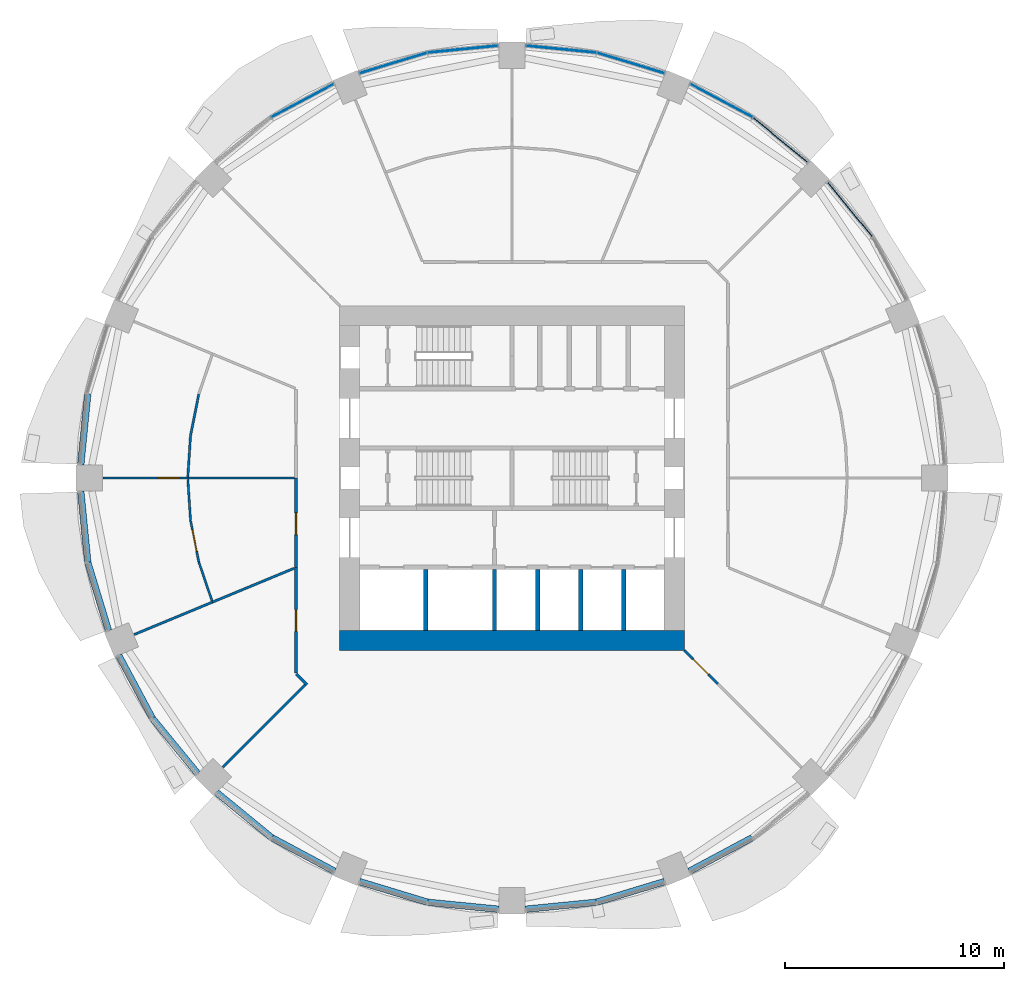
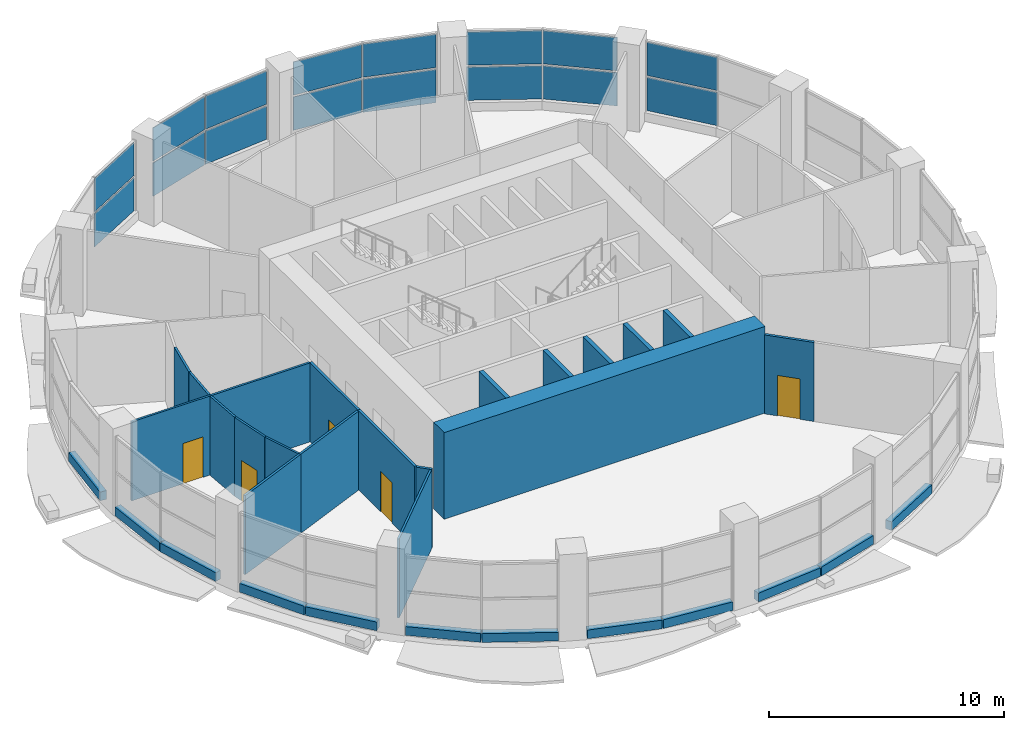
# One storey, part 7 of 14: 32 walls, 16 plates, 5 doors, 5 openings, 5 elements without a shape of their own.
"""IFC4 building model written with IfcOpenShell, lengths in metres."""

from ifc_helpers import new_model, si_unit, direction, frame, frame_2d, origin, origin_2d, place, context, subcontext, project, spatial, rectangle, extrude, material, layer, layer_set, type_object, element, fill, aggregate, save


model = new_model("IFC4")

# Units and contexts
model_context = context("Model", 3, precision=1e-05, world=origin(), true_north=direction((0.0, 1.0)))
body_context = subcontext(model_context, "Body", "Model", "MODEL_VIEW")
ifc_project = project(units=[si_unit("LENGTHUNIT", "METRE"), si_unit("AREAUNIT", "SQUARE_METRE"), si_unit("VOLUMEUNIT", "CUBIC_METRE"), si_unit("PLANEANGLEUNIT", "RADIAN"), si_unit("MASSUNIT", "GRAM", prefix="KILO")], contexts=[model_context])

# Site, building, storey
site_placement = place(None, origin())
site = spatial("IfcSite", under=ifc_project, at=site_placement, CompositionType="ELEMENT")
building_placement = place(site_placement, origin())
building = spatial("IfcBuilding", under=site, at=building_placement, Name="Polderwave Tower", CompositionType="ELEMENT")
storey_placement = place(building_placement, frame((0.0, 0.0, 9.89990234375)))
storey = spatial("IfcBuildingStorey", under=building, at=storey_placement, Name="L02", CompositionType="ELEMENT", Elevation=9.89990234375)

# Curtain wall, plates
ifc_material_1 = material(Name="Aluminium 6063-T6 and glass", Category="aluminium")
curtain_wall_type = type_object("IfcCurtainWallType", Name="Shopfront glazing wall", PredefinedType="NOTDEFINED", material=ifc_material_1)
curtain_wall_1_placement = place(storey_placement, origin())
curtain_wall_1 = element("IfcCurtainWall", 1, at=curtain_wall_1_placement, inside=storey, type_object=curtain_wall_type, Name="CW1 L02 01", PredefinedType="NOTDEFINED")
ifc_material_2 = material(Name="Glass, low-e laminated double glazing", Category="glass")
ifc_layer_1 = layer(ifc_material_2, 0.035888671875)
ifc_layer_set_1 = layer_set([ifc_layer_1], Name="Shopfront glazing glass panel 36 mm")
plate_type = type_object("IfcPlateType", Name="Shopfront glazing glass panel 36 mm", PredefinedType="CURTAIN_PANEL", material=ifc_layer_set_1)
plate_1_placement = place(storey_placement, frame((15.447998046875, 12.268310546875, 0.449951171875), z_axis=(0.0, 0.0, 1.0), x_axis=(-0.63441487044, 0.772992737459, 0.0)))
plate_1 = element("IfcPlate", 2, at=plate_1_placement, type_object=plate_type, Name="CW1 panel 3", PredefinedType="CURTAIN_PANEL", context=body_context, shape_type="SweptSolid", body=[
    extrude(rectangle(XDim=3.193359375, YDim=0.035888671875, at=origin_2d()), origin(), (0.0, 0.0, 1.0), 1.72509765625),
])
plate_2_placement = place(storey_placement, frame((15.447998046875, 12.268310546875, 2.275146484375), z_axis=(0.0, 0.0, 1.0), x_axis=(-0.63441487044, 0.772992737459, 0.0)))
plate_2 = element("IfcPlate", 3, at=plate_2_placement, type_object=plate_type, Name="CW1 panel 4", PredefinedType="CURTAIN_PANEL", context=body_context, shape_type="SweptSolid", body=[
    extrude(rectangle(XDim=3.193359375, YDim=0.035888671875, at=origin_2d()), origin(), (0.0, 0.0, 1.0), 1.72509765625),
])
aggregate(curtain_wall_1, [plate_1, plate_2])

curtain_wall_2_placement = place(storey_placement, origin())
curtain_wall_2 = element("IfcCurtainWall", 4, at=curtain_wall_2_placement, inside=storey, type_object=curtain_wall_type, Name="CW1 L02 02", PredefinedType="NOTDEFINED")
plate_3_placement = place(storey_placement, frame((12.268310546875, 15.447998046875, 0.449951171875), z_axis=(0.0, 0.0, 1.0), x_axis=(-0.772992737459, 0.63441487044, 0.0)))
plate_3 = element("IfcPlate", 5, at=plate_3_placement, type_object=plate_type, Name="CW1 panel 1", PredefinedType="CURTAIN_PANEL", context=body_context, shape_type="SweptSolid", body=[
    extrude(rectangle(XDim=3.193359375, YDim=0.035888671875, at=origin_2d()), origin(), (0.0, 0.0, 1.0), 1.72509765625),
])
plate_4_placement = place(storey_placement, frame((12.268310546875, 15.447998046875, 2.275146484375), z_axis=(0.0, 0.0, 1.0), x_axis=(-0.772992737459, 0.63441487044, 0.0)))
plate_4 = element("IfcPlate", 6, at=plate_4_placement, type_object=plate_type, Name="CW1 panel 2", PredefinedType="CURTAIN_PANEL", context=body_context, shape_type="SweptSolid", body=[
    extrude(rectangle(XDim=3.193359375, YDim=0.035888671875, at=origin_2d()), origin(), (0.0, 0.0, 1.0), 1.72509765625),
])
plate_5_placement = place(storey_placement, frame((9.57666015625, 17.246337890625, 0.449951171875), z_axis=(0.0, 0.0, 1.0), x_axis=(-0.881973091795, 0.471299761669, 0.0)))
plate_5 = element("IfcPlate", 7, at=plate_5_placement, type_object=plate_type, Name="CW1 panel 3", PredefinedType="CURTAIN_PANEL", context=body_context, shape_type="SweptSolid", body=[
    extrude(rectangle(XDim=3.1923828125, YDim=0.035888671875, at=origin_2d()), origin(), (0.0, 0.0, 1.0), 1.72509765625),
])
plate_6_placement = place(storey_placement, frame((9.57666015625, 17.246337890625, 2.275146484375), z_axis=(0.0, 0.0, 1.0), x_axis=(-0.881973091795, 0.471299761669, 0.0)))
plate_6 = element("IfcPlate", 8, at=plate_6_placement, type_object=plate_type, Name="CW1 panel 4", PredefinedType="CURTAIN_PANEL", context=body_context, shape_type="SweptSolid", body=[
    extrude(rectangle(XDim=3.1923828125, YDim=0.035888671875, at=origin_2d()), origin(), (0.0, 0.0, 1.0), 1.72509765625),
])
aggregate(curtain_wall_2, [plate_3, plate_4, plate_5, plate_6])

curtain_wall_3_placement = place(storey_placement, origin())
curtain_wall_3 = element("IfcCurtainWall", 9, at=curtain_wall_3_placement, inside=storey, type_object=curtain_wall_type, Name="CW1 L02 03", PredefinedType="NOTDEFINED")
plate_7_placement = place(storey_placement, frame((5.423095703125, 18.966796875, 0.449951171875), z_axis=(0.0, 0.0, 1.0), x_axis=(-0.956924628419, 0.290336452284, 0.0)))
plate_7 = element("IfcPlate", 10, at=plate_7_placement, type_object=plate_type, Name="CW1 panel 1", PredefinedType="CURTAIN_PANEL", context=body_context, shape_type="SweptSolid", body=[
    extrude(rectangle(XDim=3.1923828125, YDim=0.035888671875, at=origin_2d()), origin(), (0.0, 0.0, 1.0), 1.72509765625),
])
plate_8_placement = place(storey_placement, frame((5.423095703125, 18.966796875, 2.275146484375), z_axis=(0.0, 0.0, 1.0), x_axis=(-0.956924628419, 0.290336452284, 0.0)))
plate_8 = element("IfcPlate", 11, at=plate_8_placement, type_object=plate_type, Name="CW1 panel 2", PredefinedType="CURTAIN_PANEL", context=body_context, shape_type="SweptSolid", body=[
    extrude(rectangle(XDim=3.1923828125, YDim=0.035888671875, at=origin_2d()), origin(), (0.0, 0.0, 1.0), 1.72509765625),
])
plate_9_placement = place(storey_placement, frame((2.248291015625, 19.598388671875, 0.449951171875), z_axis=(0.0, 0.0, 1.0), x_axis=(-0.99517788136, 0.098086617091, 0.0)))
plate_9 = element("IfcPlate", 12, at=plate_9_placement, type_object=plate_type, Name="CW1 panel 3", PredefinedType="CURTAIN_PANEL", context=body_context, shape_type="SweptSolid", body=[
    extrude(rectangle(XDim=3.19287109375, YDim=0.035888671875, at=origin_2d()), origin(), (0.0, 0.0, 1.0), 1.72509765625),
])
plate_10_placement = place(storey_placement, frame((2.248291015625, 19.598388671875, 2.275146484375), z_axis=(0.0, 0.0, 1.0), x_axis=(-0.99517788136, 0.098086617091, 0.0)))
plate_10 = element("IfcPlate", 13, at=plate_10_placement, type_object=plate_type, Name="CW1 panel 4", PredefinedType="CURTAIN_PANEL", context=body_context, shape_type="SweptSolid", body=[
    extrude(rectangle(XDim=3.19287109375, YDim=0.035888671875, at=origin_2d()), origin(), (0.0, 0.0, 1.0), 1.72509765625),
])
aggregate(curtain_wall_3, [plate_7, plate_8, plate_9, plate_10])

curtain_wall_4_placement = place(storey_placement, origin())
curtain_wall_4 = element("IfcCurtainWall", 14, at=curtain_wall_4_placement, inside=storey, type_object=curtain_wall_type, Name="CW1 L02 04", PredefinedType="NOTDEFINED")
plate_11_placement = place(storey_placement, frame((-2.248291015625, 19.598388671875, 0.449951171875), z_axis=(0.0, 0.0, 1.0), x_axis=(-0.99517788136, -0.098086617091, 0.0)))
plate_11 = element("IfcPlate", 15, at=plate_11_placement, type_object=plate_type, Name="CW1 panel 1", PredefinedType="CURTAIN_PANEL", context=body_context, shape_type="SweptSolid", body=[
    extrude(rectangle(XDim=3.19287109375, YDim=0.035888671875, at=origin_2d()), origin(), (0.0, 0.0, 1.0), 1.72509765625),
])
plate_12_placement = place(storey_placement, frame((-2.248291015625, 19.598388671875, 2.275146484375), z_axis=(0.0, 0.0, 1.0), x_axis=(-0.99517788136, -0.098086617091, 0.0)))
plate_12 = element("IfcPlate", 16, at=plate_12_placement, type_object=plate_type, Name="CW1 panel 2", PredefinedType="CURTAIN_PANEL", context=body_context, shape_type="SweptSolid", body=[
    extrude(rectangle(XDim=3.19287109375, YDim=0.035888671875, at=origin_2d()), origin(), (0.0, 0.0, 1.0), 1.72509765625),
])
plate_13_placement = place(storey_placement, frame((-5.423095703125, 18.966796875, 0.449951171875), z_axis=(0.0, 0.0, 1.0), x_axis=(-0.956924628419, -0.290336452284, 0.0)))
plate_13 = element("IfcPlate", 17, at=plate_13_placement, type_object=plate_type, Name="CW1 panel 3", PredefinedType="CURTAIN_PANEL", context=body_context, shape_type="SweptSolid", body=[
    extrude(rectangle(XDim=3.1923828125, YDim=0.035888671875, at=origin_2d()), origin(), (0.0, 0.0, 1.0), 1.72509765625),
])
plate_14_placement = place(storey_placement, frame((-5.423095703125, 18.966796875, 2.275146484375), z_axis=(0.0, 0.0, 1.0), x_axis=(-0.956924628419, -0.290336452284, 0.0)))
plate_14 = element("IfcPlate", 18, at=plate_14_placement, type_object=plate_type, Name="CW1 panel 4", PredefinedType="CURTAIN_PANEL", context=body_context, shape_type="SweptSolid", body=[
    extrude(rectangle(XDim=3.1923828125, YDim=0.035888671875, at=origin_2d()), origin(), (0.0, 0.0, 1.0), 1.72509765625),
])
aggregate(curtain_wall_4, [plate_11, plate_12, plate_13, plate_14])

curtain_wall_5_placement = place(storey_placement, origin())
curtain_wall_5 = element("IfcCurtainWall", 19, at=curtain_wall_5_placement, inside=storey, type_object=curtain_wall_type, Name="CW1 L02 05", PredefinedType="NOTDEFINED")
plate_15_placement = place(storey_placement, frame((-9.57666015625, 17.246337890625, 0.449951171875), z_axis=(0.0, 0.0, 1.0), x_axis=(-0.881973091795, -0.471299761669, 0.0)))
plate_15 = element("IfcPlate", 20, at=plate_15_placement, type_object=plate_type, Name="CW1 panel 1", PredefinedType="CURTAIN_PANEL", context=body_context, shape_type="SweptSolid", body=[
    extrude(rectangle(XDim=3.1923828125, YDim=0.035888671875, at=origin_2d()), origin(), (0.0, 0.0, 1.0), 1.72509765625),
])
plate_16_placement = place(storey_placement, frame((-9.57666015625, 17.246337890625, 2.275146484375), z_axis=(0.0, 0.0, 1.0), x_axis=(-0.881973091795, -0.471299761669, 0.0)))
plate_16 = element("IfcPlate", 21, at=plate_16_placement, type_object=plate_type, Name="CW1 panel 2", PredefinedType="CURTAIN_PANEL", context=body_context, shape_type="SweptSolid", body=[
    extrude(rectangle(XDim=3.1923828125, YDim=0.035888671875, at=origin_2d()), origin(), (0.0, 0.0, 1.0), 1.72509765625),
])
aggregate(curtain_wall_5, [plate_15, plate_16])

# Walls
ifc_material_3 = material(Name="Concrete C80/95", Category="concrete")
ifc_layer_2 = layer(ifc_material_3, 0.89990234375)
ifc_layer_set_2 = layer_set([ifc_layer_2], Name="CORE WALL 900 C80/95")
wall_type_1 = type_object("IfcWallType", Name="CORE WALL 900 C80/95", PredefinedType="SHEAR", material=ifc_layer_set_2)
wall_1_placement = place(storey_placement, frame((-7.8740234375, -7.424072265625, 0.0), z_axis=(0.0, 0.0, 1.0), x_axis=(1.0, 0.0, 0.0)))
element("IfcWall", 22, at=wall_1_placement, inside=storey, type_object=wall_type_1, Name="ST-CORE-L02-S", PredefinedType="SHEAR", context=body_context, shape_type="SweptSolid", body=[
    extrude(rectangle(XDim=15.748046875, YDim=0.89990234375, at=frame_2d((7.8740234375, 0.0))), origin(), (0.0, 0.0, 1.0), 4.5),
])
ifc_material_4 = material(Name="Concrete C50/60 (board-marked)", Category="concrete")
ifc_layer_3 = layer(ifc_material_4, 0.300048828125)
ifc_layer_set_3 = layer_set([ifc_layer_3], Name="Concrete spandrel upstand C50/60")
wall_type_2 = type_object("IfcWallType", Name="Concrete spandrel upstand C50/60", PredefinedType="SOLIDWALL", material=ifc_layer_set_3)
for number, where, z_axis, x_axis, name in (
    (23, (-19.3916015625, 3.842041015625, 0.0), (0.0, 0.0, 1.0), (-0.097961566391, -0.995190198661, 0.0), "Spandrel L02 8b"),
    (24, (-19.70947265625, -0.61279296875, 0.0), (0.0, 0.0, 1.0), (0.097961566391, -0.995190198661, 0.0), "Spandrel L02 9a"),
):
    element("IfcWall", number, at=place(storey_placement, frame(where, z_axis=z_axis, x_axis=x_axis)), inside=storey, type_object=wall_type_2, Name=name, PredefinedType="SOLIDWALL", context=body_context, shape_type="SweptSolid", body=[
        extrude(rectangle(XDim=3.244873046875, YDim=0.300048828125, at=frame_2d((1.62255859375, 0.0))), origin(), (0.0, 0.0, 1.0), 0.4501953125),
    ])
wall_2_placement = place(storey_placement, frame((-19.385498046875, -3.871337890625, 0.0), z_axis=(0.0, 0.0, 1.0), x_axis=(0.290418848098, -0.95689962518, 0.0)))
element("IfcWall", 25, at=wall_2_placement, inside=storey, type_object=wall_type_2, Name="Spandrel L02 9b", PredefinedType="SOLIDWALL", context=body_context, shape_type="SweptSolid", body=[
    extrude(rectangle(XDim=3.244140625, YDim=0.300048828125, at=frame_2d((1.6220703125, 0.0))), origin(), (0.0, 0.0, 1.0), 0.4501953125),
])
wall_3_placement = place(storey_placement, frame((-17.973876953125, -8.108154296875, 0.0), z_axis=(0.0, 0.0, 1.0), x_axis=(0.471220846392, -0.882015257196, 0.0)))
element("IfcWall", 26, at=wall_3_placement, inside=storey, type_object=wall_type_2, Name="Spandrel L02 10a", PredefinedType="SOLIDWALL", context=body_context, shape_type="SweptSolid", body=[
    extrude(rectangle(XDim=3.244384765625, YDim=0.300048828125, at=frame_2d((1.6220703125, 0.0))), origin(), (0.0, 0.0, 1.0), 0.4501953125),
])
for number, where, z_axis, x_axis, name in (
    (27, (-16.428466796875, -10.99462890625, 0.0), (0.0, 0.0, 1.0), (0.634200152071, -0.773168912407, 0.0), "Spandrel L02 10b"),
    (28, (-13.50341796875, -14.37060546875, 0.0), (0.0, 0.0, 1.0), (0.773168912407, -0.634200152071, 0.0), "Spandrel L02 11a"),
):
    element("IfcWall", number, at=place(storey_placement, frame(where, z_axis=z_axis, x_axis=x_axis)), inside=storey, type_object=wall_type_2, Name=name, PredefinedType="SOLIDWALL", context=body_context, shape_type="SweptSolid", body=[
        extrude(rectangle(XDim=3.244873046875, YDim=0.300048828125, at=frame_2d((1.62255859375, 0.0))), origin(), (0.0, 0.0, 1.0), 0.4501953125),
    ])
wall_4_placement = place(storey_placement, frame((-10.9697265625, -16.445068359375, 0.0), z_axis=(0.0, 0.0, 1.0), x_axis=(0.882015257196, -0.471220846392, 0.0)))
element("IfcWall", 29, at=wall_4_placement, inside=storey, type_object=wall_type_2, Name="Spandrel L02 11b", PredefinedType="SOLIDWALL", context=body_context, shape_type="SweptSolid", body=[
    extrude(rectangle(XDim=3.244384765625, YDim=0.300048828125, at=frame_2d((1.6220703125, 0.0))), origin(), (0.0, 0.0, 1.0), 0.4501953125),
])
wall_5_placement = place(storey_placement, frame((-6.9755859375, -18.443359375, 0.0), z_axis=(0.0, 0.0, 1.0), x_axis=(0.95689962518, -0.290418848098, 0.0)))
element("IfcWall", 30, at=wall_5_placement, inside=storey, type_object=wall_type_2, Name="Spandrel L02 12a", PredefinedType="SOLIDWALL", context=body_context, shape_type="SweptSolid", body=[
    extrude(rectangle(XDim=3.244140625, YDim=0.300048828125, at=frame_2d((1.6220703125, 0.0))), origin(), (0.0, 0.0, 1.0), 0.4501953125),
])
for number, where, z_axis, x_axis, name in (
    (31, (-3.842041015625, -19.3916015625, 0.0), (0.0, 0.0, 1.0), (0.995190198661, -0.097961566391, 0.0), "Spandrel L02 12b"),
    (32, (0.61279296875, -19.70947265625, 0.0), (0.0, 0.0, 1.0), (0.995190198661, 0.097961566391, 0.0), "Spandrel L02 13a"),
):
    element("IfcWall", number, at=place(storey_placement, frame(where, z_axis=z_axis, x_axis=x_axis)), inside=storey, type_object=wall_type_2, Name=name, PredefinedType="SOLIDWALL", context=body_context, shape_type="SweptSolid", body=[
        extrude(rectangle(XDim=3.244873046875, YDim=0.300048828125, at=frame_2d((1.62255859375, 0.0))), origin(), (0.0, 0.0, 1.0), 0.4501953125),
    ])
wall_6_placement = place(storey_placement, frame((3.871337890625, -19.385498046875, 0.0), z_axis=(0.0, 0.0, 1.0), x_axis=(0.95689962518, 0.290418848098, 0.0)))
element("IfcWall", 33, at=wall_6_placement, inside=storey, type_object=wall_type_2, Name="Spandrel L02 13b", PredefinedType="SOLIDWALL", context=body_context, shape_type="SweptSolid", body=[
    extrude(rectangle(XDim=3.244140625, YDim=0.300048828125, at=frame_2d((1.6220703125, 0.0))), origin(), (0.0, 0.0, 1.0), 0.4501953125),
])
wall_7_placement = place(storey_placement, frame((8.108154296875, -17.973876953125, 0.0), z_axis=(0.0, 0.0, 1.0), x_axis=(0.882015257196, 0.471220846392, 0.0)))
element("IfcWall", 34, at=wall_7_placement, inside=storey, type_object=wall_type_2, Name="Spandrel L02 14a", PredefinedType="SOLIDWALL", context=body_context, shape_type="SweptSolid", body=[
    extrude(rectangle(XDim=3.244384765625, YDim=0.300048828125, at=frame_2d((1.6220703125, 0.0))), origin(), (0.0, 0.0, 1.0), 0.4501953125),
])

# Wall, opening, door
ifc_material_5 = material(Name="Fire-resisting board on steel studs", Category="steel")
ifc_layer_4 = layer(ifc_material_5, 0.125)
ifc_layer_set_4 = layer_set([ifc_layer_4], Name="Corridor wall 125 mm EI 60")
wall_type_3 = type_object("IfcWallType", Name="Corridor wall 125 mm EI 60", PredefinedType="PARTITIONING", material=ifc_layer_set_4)
wall_8_placement = place(storey_placement, frame((9.404541015625, -9.404541015625, 0.0), z_axis=(0.0, 0.0, 1.0), x_axis=(-0.707106781187, 0.707106781187, 0.0)))
wall_8 = element("IfcWall", 35, at=wall_8_placement, inside=storey, type_object=wall_type_3, Name="IN-L02-W001", PredefinedType="PARTITIONING", context=body_context, shape_type="SweptSolid", body=[
    extrude(rectangle(XDim=2.16455078125, YDim=0.125, at=frame_2d((1.082275390625, 0.0))), origin(), (0.0, 0.0, 1.0), 4.10009765625),
])
opening_1_placement = place(wall_8_placement, frame((0.60009765625, 0.0, 0.0)))
opening_1 = element("IfcOpeningElement", 36, at=opening_1_placement, cuts=wall_8, Name="Opening L02-D50", PredefinedType="OPENING", context=body_context, shape_type="SweptSolid", body=[
    extrude(rectangle(XDim=1.0, YDim=2.10009765625, at=frame_2d((0.5, 1.050048828125))), frame((0.0, 0.072509765625, 0.0), z_axis=(0.0, -1.0, 0.0), x_axis=(1.0, 0.0, 0.0)), (0.0, 0.0, 1.0), 0.14501953125),
])
ifc_material_6 = material(Name="Timber fire door leaf", Category="wood")
door_type_1 = type_object("IfcDoorType", Name="Fire door FD30S 1000 x 2100", OperationType="NOTDEFINED", PredefinedType="DOOR", material=ifc_material_6)
door_1_placement = place(opening_1_placement, origin())
door_1 = element("IfcDoor", 37, at=door_1_placement, inside=storey, type_object=door_type_1, Name="Door L02-D50", OperationType="SINGLE_SWING_RIGHT", OverallHeight=2.10009765625, OverallWidth=1.0, PredefinedType="DOOR", context=body_context, shape_type="SweptSolid", body=[
    extrude(rectangle(XDim=1.0, YDim=2.10009765625, at=frame_2d((0.5, 1.050048828125))), frame((0.0, 0.02490234375, 0.0), z_axis=(0.0, -1.0, 0.0), x_axis=(1.0, 0.0, 0.0)), (0.0, 0.0, 1.0), 0.050048828125),
])
fill(opening_1, door_1)

wall_9_placement = place(storey_placement, frame((-9.8740234375, -4.08984375, 0.0), z_axis=(0.0, 0.0, 1.0), x_axis=(0.0, 1.0, 0.0)))
wall_9 = element("IfcWall", 38, at=wall_9_placement, inside=storey, type_object=wall_type_3, Name="IN-L02-W012", PredefinedType="PARTITIONING", context=body_context, shape_type="SweptSolid", body=[
    extrude(rectangle(XDim=4.08984375, YDim=0.125, at=frame_2d((2.044921875, 0.0))), origin(), (0.0, 0.0, 1.0), 4.10009765625),
])
opening_2_placement = place(wall_9_placement, frame((1.5, 0.0, 0.0)))
opening_2 = element("IfcOpeningElement", 39, at=opening_2_placement, cuts=wall_9, Name="Opening L02-D59", PredefinedType="OPENING", context=body_context, shape_type="SweptSolid", body=[
    extrude(rectangle(XDim=1.0, YDim=2.10009765625, at=frame_2d((0.5, 1.050048828125))), frame((0.0, 0.072509765625, 0.0), z_axis=(0.0, -1.0, 0.0), x_axis=(1.0, 0.0, 0.0)), (0.0, 0.0, 1.0), 0.14501953125),
])
door_2_placement = place(opening_2_placement, origin())
door_2 = element("IfcDoor", 40, at=door_2_placement, inside=storey, type_object=door_type_1, Name="Door L02-D59", OperationType="SINGLE_SWING_LEFT", OverallHeight=2.10009765625, OverallWidth=1.0, PredefinedType="DOOR", context=body_context, shape_type="SweptSolid", body=[
    extrude(rectangle(XDim=1.0, YDim=2.10009765625, at=frame_2d((0.5, 1.050048828125))), frame((0.0, 0.02490234375, 0.0), z_axis=(0.0, -1.0, 0.0), x_axis=(1.0, 0.0, 0.0)), (0.0, 0.0, 1.0), 0.050048828125),
])
fill(opening_2, door_2)

wall_10_placement = place(storey_placement, frame((-9.8740234375, -8.9091796875, 0.0), z_axis=(0.0, 0.0, 1.0), x_axis=(0.0, 1.0, 0.0)))
wall_10 = element("IfcWall", 41, at=wall_10_placement, inside=storey, type_object=wall_type_3, Name="IN-L02-W013", PredefinedType="PARTITIONING", context=body_context, shape_type="SweptSolid", body=[
    extrude(rectangle(XDim=4.8193359375, YDim=0.125, at=frame_2d((2.40966796875, 0.0))), origin(), (0.0, 0.0, 1.0), 4.10009765625),
])
opening_3_placement = place(wall_10_placement, frame((1.89990234375, 0.0, 0.0)))
opening_3 = element("IfcOpeningElement", 42, at=opening_3_placement, cuts=wall_10, Name="Opening L02-D60", PredefinedType="OPENING", context=body_context, shape_type="SweptSolid", body=[
    extrude(rectangle(XDim=1.0, YDim=2.10009765625, at=frame_2d((0.5, 1.050048828125))), frame((0.0, 0.072509765625, 0.0), z_axis=(0.0, -1.0, 0.0), x_axis=(1.0, 0.0, 0.0)), (0.0, 0.0, 1.0), 0.14501953125),
])
door_3_placement = place(opening_3_placement, origin())
door_3 = element("IfcDoor", 43, at=door_3_placement, inside=storey, type_object=door_type_1, Name="Door L02-D60", OperationType="SINGLE_SWING_LEFT", OverallHeight=2.10009765625, OverallWidth=1.0, PredefinedType="DOOR", context=body_context, shape_type="SweptSolid", body=[
    extrude(rectangle(XDim=1.0, YDim=2.10009765625, at=frame_2d((0.5, 1.050048828125))), frame((0.0, 0.02490234375, 0.0), z_axis=(0.0, -1.0, 0.0), x_axis=(1.0, 0.0, 0.0)), (0.0, 0.0, 1.0), 0.050048828125),
])
fill(opening_3, door_3)

# Wall
wall_11_placement = place(storey_placement, frame((-9.369140625, -9.43994140625, 0.0), z_axis=(0.0, 0.0, 1.0), x_axis=(-0.707106781187, 0.707106781187, 0.0)))
element("IfcWall", 44, at=wall_11_placement, inside=storey, type_object=wall_type_3, Name="IN-L02-W014", PredefinedType="PARTITIONING", context=body_context, shape_type="SweptSolid", body=[
    extrude(rectangle(XDim=0.688232421875, YDim=0.125, at=frame_2d((0.34423828125, 0.0))), origin(), (0.0, 0.0, 1.0), 4.10009765625),
])

# Wall, opening, door
ifc_material_7 = material(Name="Plasterboard on steel studs", Category="steel")
ifc_layer_5 = layer(ifc_material_7, 0.10009765625)
ifc_layer_set_5 = layer_set([ifc_layer_5], Name="Partition 100 mm plasterboard on steel studs")
wall_type_4 = type_object("IfcWallType", Name="Partition 100 mm plasterboard on steel studs", PredefinedType="PARTITIONING", material=ifc_layer_set_5)
wall_12_placement = place(storey_placement, frame((-18.68994140625, 0.0, 0.0), z_axis=(0.0, 0.0, 1.0), x_axis=(1.0, 0.0, 0.0)))
wall_12 = element("IfcWall", 45, at=wall_12_placement, inside=storey, type_object=wall_type_4, Name="IN-L02-W043", PredefinedType="PARTITIONING", context=body_context, shape_type="SweptSolid", body=[
    extrude(rectangle(XDim=3.869873046875, YDim=0.10009765625, at=frame_2d((1.93505859375, 0.0))), origin(), (0.0, 0.0, 1.0), 4.10009765625),
])
opening_4_placement = place(wall_12_placement, frame((2.5, 0.0, 0.0)))
opening_4 = element("IfcOpeningElement", 46, at=opening_4_placement, cuts=wall_12, Name="Opening L02-D64", PredefinedType="OPENING", context=body_context, shape_type="SweptSolid", body=[
    extrude(rectangle(XDim=1.0, YDim=2.10009765625, at=frame_2d((0.5, 1.050048828125))), frame((0.0, 0.06005859375, 0.0), z_axis=(0.0, -1.0, 0.0), x_axis=(1.0, 0.0, 0.0)), (0.0, 0.0, 1.0), 0.1201171875),
])
ifc_material_8 = material(Name="Timber veneer door leaf", Category="wood")
door_type_2 = type_object("IfcDoorType", Name="Single door 1000 x 2100", OperationType="NOTDEFINED", PredefinedType="DOOR", material=ifc_material_8)
door_4_placement = place(opening_4_placement, origin())
door_4 = element("IfcDoor", 47, at=door_4_placement, inside=storey, type_object=door_type_2, Name="Door L02-D64", OperationType="SINGLE_SWING_RIGHT", OverallHeight=2.10009765625, OverallWidth=1.0, PredefinedType="DOOR", context=body_context, shape_type="SweptSolid", body=[
    extrude(rectangle(XDim=1.0, YDim=2.10009765625, at=frame_2d((0.5, 1.050048828125))), frame((0.0, 0.02490234375, 0.0), z_axis=(0.0, -1.0, 0.0), x_axis=(1.0, 0.0, 0.0)), (0.0, 0.0, 1.0), 0.050048828125),
])
fill(opening_4, door_4)

# Wall
wall_13_placement = place(storey_placement, frame((-14.81640625, -0.055908203125, 0.0), z_axis=(0.0, 0.0, 1.0), x_axis=(0.065475654237, -0.997854167052, 0.0)))
element("IfcWall", 48, at=wall_13_placement, inside=storey, type_object=wall_type_4, Name="IN-L02-W044", PredefinedType="PARTITIONING", context=body_context, shape_type="SweptSolid", body=[
    extrude(rectangle(XDim=1.87939453125, YDim=0.10009765625, at=frame_2d((0.939697265625, 0.0))), origin(), (0.0, 0.0, 1.0), 4.10009765625),
])

# Wall, opening, door
wall_14_placement = place(storey_placement, frame((-14.315673828125, -3.83251953125, 0.0), z_axis=(0.0, 0.0, 1.0), x_axis=(-0.195095451873, 0.980784259997, 0.0)))
wall_14 = element("IfcWall", 49, at=wall_14_placement, inside=storey, type_object=wall_type_4, Name="IN-L02-W045", PredefinedType="PARTITIONING", context=body_context, shape_type="SweptSolid", body=[
    extrude(rectangle(XDim=1.93212890625, YDim=0.10009765625, at=frame_2d((0.966064453125, 0.0))), origin(), (0.0, 0.0, 1.0), 4.10009765625),
])
opening_5_placement = place(wall_14_placement, frame((0.5, 0.0, 0.0)))
opening_5 = element("IfcOpeningElement", 50, at=opening_5_placement, cuts=wall_14, Name="Opening L02-D65", PredefinedType="OPENING", context=body_context, shape_type="SweptSolid", body=[
    extrude(rectangle(XDim=1.0, YDim=2.10009765625, at=frame_2d((0.5, 1.050048828125))), frame((0.0, 0.06005859375, 0.0), z_axis=(0.0, -1.0, 0.0), x_axis=(1.0, 0.0, 0.0)), (0.0, 0.0, 1.0), 0.1201171875),
])
door_5_placement = place(opening_5_placement, origin())
door_5 = element("IfcDoor", 51, at=door_5_placement, inside=storey, type_object=door_type_2, Name="Door L02-D65", OperationType="SINGLE_SWING_RIGHT", OverallHeight=2.10009765625, OverallWidth=1.0, PredefinedType="DOOR", context=body_context, shape_type="SweptSolid", body=[
    extrude(rectangle(XDim=1.0, YDim=2.10009765625, at=frame_2d((0.5, 1.050048828125))), frame((0.0, 0.02490234375, 0.0), z_axis=(0.0, -1.0, 0.0), x_axis=(1.0, 0.0, 0.0)), (0.0, 0.0, 1.0), 0.050048828125),
])
fill(opening_5, door_5)

# Walls
wall_15_placement = place(storey_placement, frame((-14.31396484375, -3.8388671875, 0.0), z_axis=(0.0, 0.0, 1.0), x_axis=(0.321412988648, -0.946939116696, 0.0)))
element("IfcWall", 52, at=wall_15_placement, inside=storey, type_object=wall_type_4, Name="IN-L02-W046", PredefinedType="PARTITIONING", context=body_context, shape_type="SweptSolid", body=[
    extrude(rectangle(XDim=1.876953125, YDim=0.10009765625, at=frame_2d((0.9384765625, 0.0))), origin(), (0.0, 0.0, 1.0), 4.10009765625),
])
wall_16_placement = place(storey_placement, frame((-13.2158203125, -13.2158203125, 0.0), z_axis=(0.0, 0.0, 1.0), x_axis=(0.707106781187, 0.707106781187, 0.0)))
element("IfcWall", 53, at=wall_16_placement, inside=storey, type_object=wall_type_4, Name="IN-L02-W049", PredefinedType="PARTITIONING", context=body_context, shape_type="SweptSolid", body=[
    extrude(rectangle(XDim=5.327392578125, YDim=0.10009765625, at=frame_2d((2.66357421875, 0.0))), origin(), (0.0, 0.0, 1.0), 4.10009765625),
])
ifc_material_9 = material(Name="Moisture-resistant board on steel studs, tiled", Category="steel")
ifc_layer_6 = layer(ifc_material_9, 0.10498046875)
ifc_layer_set_6 = layer_set([ifc_layer_6], Name="Partition 105 mm wet room board and tile")
wall_type_5 = type_object("IfcWallType", Name="Partition 105 mm wet room board and tile", PredefinedType="PARTITIONING", material=ifc_layer_set_6)
wall_17_placement = place(storey_placement, frame((-14.81640625, 0.055908203125, 0.0), z_axis=(0.0, 0.0, 1.0), x_axis=(0.065484143156, 0.997853610003, 0.0)))
element("IfcWall", 54, at=wall_17_placement, inside=storey, type_object=wall_type_5, Name="IN-L02-W039", PredefinedType="PARTITIONING", context=body_context, shape_type="SweptSolid", body=[
    extrude(rectangle(XDim=1.879150390625, YDim=0.10498046875, at=frame_2d((0.939453125, 0.0))), origin(), (0.0, 0.0, 1.0), 4.10009765625),
])
wall_18_placement = place(storey_placement, frame((-14.6923828125, 1.937744140625, 0.0), z_axis=(0.0, 0.0, 1.0), x_axis=(0.195022239668, 0.980798820368, 0.0)))
element("IfcWall", 55, at=wall_18_placement, inside=storey, type_object=wall_type_5, Name="IN-L02-W040", PredefinedType="PARTITIONING", context=body_context, shape_type="SweptSolid", body=[
    extrude(rectangle(XDim=1.931640625, YDim=0.10498046875, at=frame_2d((0.9658203125, 0.0))), origin(), (0.0, 0.0, 1.0), 4.10009765625),
])
wall_19_placement = place(storey_placement, frame((-9.9365234375, 0.0, 0.0), z_axis=(0.0, 0.0, 1.0), x_axis=(-1.0, 0.0, 0.0)))
element("IfcWall", 56, at=wall_19_placement, inside=storey, type_object=wall_type_5, Name="IN-L02-W042", PredefinedType="PARTITIONING", context=body_context, shape_type="SweptSolid", body=[
    extrude(rectangle(XDim=4.883544921875, YDim=0.10498046875, at=frame_2d((2.44189453125, 0.0))), origin(), (0.0, 0.0, 1.0), 4.10009765625),
])
ifc_material_10 = material(Name="Acoustic double plasterboard on steel studs", Category="steel")
ifc_layer_7 = layer(ifc_material_10, 0.110107421875)
ifc_layer_set_7 = layer_set([ifc_layer_7], Name="Partition 110 mm acoustic double board")
wall_type_6 = type_object("IfcWallType", Name="Partition 110 mm acoustic double board", PredefinedType="PARTITIONING", material=ifc_layer_set_7)
wall_20_placement = place(storey_placement, frame((-13.69189453125, -5.67138671875, 0.0), z_axis=(0.0, 0.0, 1.0), x_axis=(-0.923883048049, -0.382674944996, 0.0)))
element("IfcWall", 57, at=wall_20_placement, inside=storey, type_object=wall_type_6, Name="IN-L02-W047", PredefinedType="PARTITIONING", context=body_context, shape_type="SweptSolid", body=[
    extrude(rectangle(XDim=3.8701171875, YDim=0.110107421875, at=frame_2d((1.93505859375, 0.0))), origin(), (0.0, 0.0, 1.0), 4.10009765625),
])
wall_21_placement = place(storey_placement, frame((-9.95751953125, -4.12451171875, 0.0), z_axis=(0.0, 0.0, 1.0), x_axis=(-0.923875488976, -0.382693194178, 0.0)))
element("IfcWall", 58, at=wall_21_placement, inside=storey, type_object=wall_type_6, Name="IN-L02-W048", PredefinedType="PARTITIONING", context=body_context, shape_type="SweptSolid", body=[
    extrude(rectangle(XDim=4.0419921875, YDim=0.110107421875, at=frame_2d((2.02099609375, 0.0))), origin(), (0.0, 0.0, 1.0), 4.10009765625),
])
ifc_material_11 = material(Name="Gypsum shaft wall system")
ifc_layer_8 = layer(ifc_material_11, 0.199951171875)
ifc_layer_set_8 = layer_set([ifc_layer_8], Name="Shaft wall 200")
wall_type_7 = type_object("IfcWallType", Name="Shaft wall 200", PredefinedType="PARTITIONING", material=ifc_layer_set_8)
for number, where, z_axis, x_axis, name in (
    (59, (-3.93701171875, -6.97412109375, 0.0), (0.0, 0.0, 1.0), (0.0, 1.0, 0.0), "L02 fire-fighting shaft wall 1"),
    (60, (-0.800048828125, -6.97412109375, 0.0), (0.0, 0.0, 1.0), (0.0, 1.0, 0.0), "L02 fire-fighting shaft wall 2"),
    (61, (1.16845703125, -6.97412109375, 0.0), (0.0, 0.0, 1.0), (0.0, 1.0, 0.0), "L02 lift shaft wall 1"),
    (62, (3.136962890625, -6.97412109375, 0.0), (0.0, 0.0, 1.0), (0.0, 1.0, 0.0), "L02 lift shaft wall 2"),
    (63, (5.10546875, -6.97412109375, 0.0), (0.0, 0.0, 1.0), (0.0, 1.0, 0.0), "L02 lift shaft wall 3"),
):
    element("IfcWall", number, at=place(storey_placement, frame(where, z_axis=z_axis, x_axis=x_axis)), inside=storey, type_object=wall_type_7, Name=name, PredefinedType="PARTITIONING", context=body_context, shape_type="SweptSolid", body=[
        extrude(rectangle(XDim=2.800048828125, YDim=0.199951171875, at=frame_2d((1.39990234375, 0.0))), origin(), (0.0, 0.0, 1.0), 4.10009765625),
    ])

save(model, "model.ifc")
